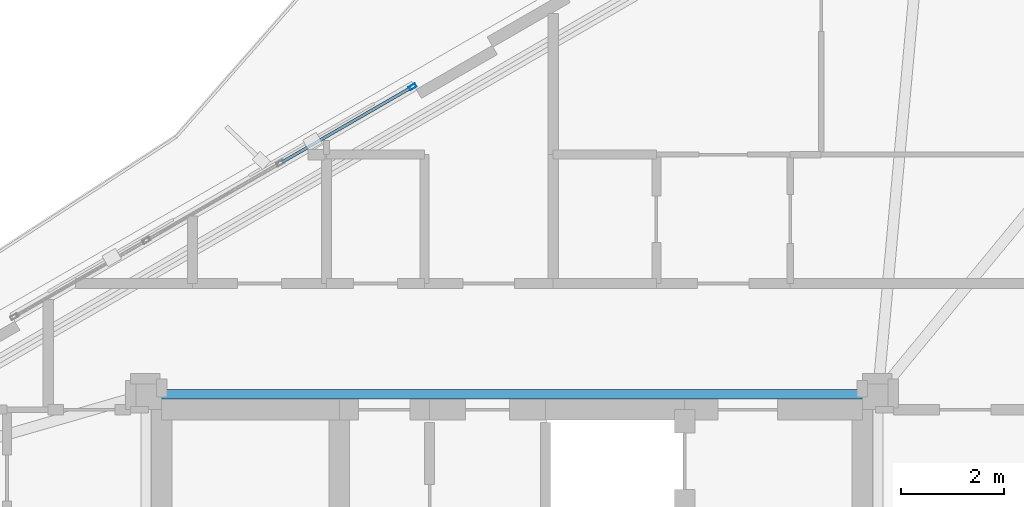
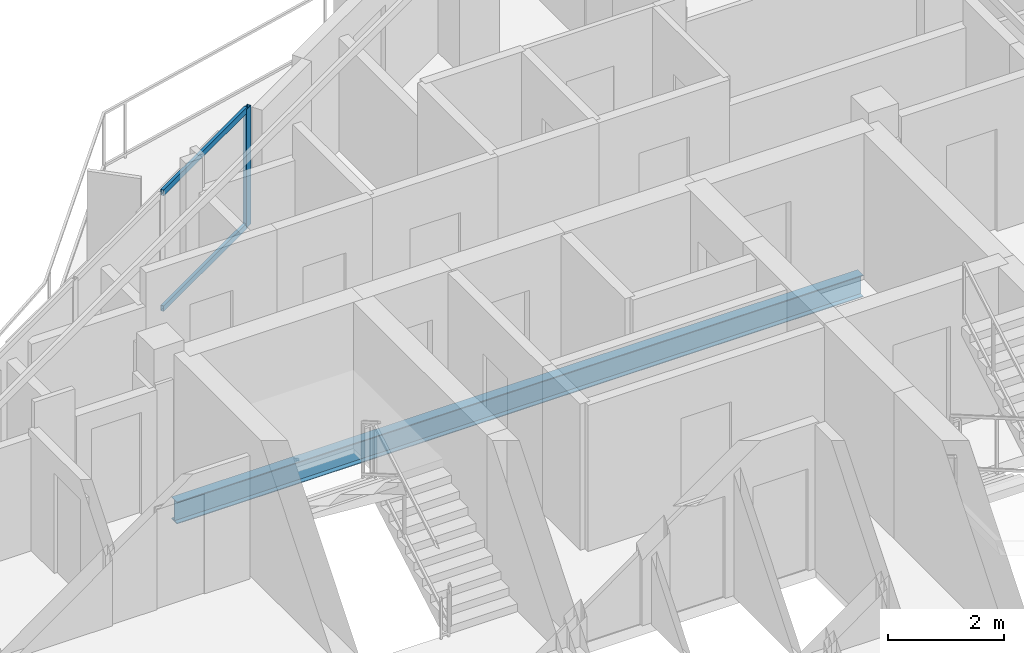
# One storey, part 14 of 22: 3 members, 1 beam, 1 element without a shape of its own.
"""IFC4 building model written with IfcOpenShell, lengths in metres."""

from ifc_helpers import new_model, si_unit, direction, frame, origin, origin_2d, place, context, subcontext, project, spatial, hollow_rectangle, i_section, extrude, material, layer, layer_set, material_profile, profile_set, type_object, element, aggregate, save


model = new_model("IFC4")

# Units and contexts
model_context = context("Model", 3, precision=1e-05, world=origin(), true_north=direction((0.0, 1.0)))
body_context = subcontext(model_context, "Body", "Model", "MODEL_VIEW")
ifc_project = project(units=[si_unit("LENGTHUNIT", "METRE"), si_unit("AREAUNIT", "SQUARE_METRE"), si_unit("VOLUMEUNIT", "CUBIC_METRE"), si_unit("PLANEANGLEUNIT", "RADIAN"), si_unit("MASSUNIT", "GRAM", prefix="KILO")], contexts=[model_context])

# Site, building, storey
site_placement = place(None, origin())
site = spatial("IfcSite", under=ifc_project, at=site_placement, CompositionType="ELEMENT")
building_placement = place(site_placement, origin())
building = spatial("IfcBuilding", under=site, at=building_placement, Name="Mersakhor Tower and Convention Hall", CompositionType="ELEMENT")
storey_placement = place(building_placement, frame((0.0, 0.0, 201.89990234375)))
storey = spatial("IfcBuildingStorey", under=building, at=storey_placement, Name="L56", CompositionType="ELEMENT", Elevation=201.89990234375)

# Beam
ifc_material_1 = material(Name="Steel S355", Category="steel")
ifc_material_profile_1 = material_profile(ifc_material_1, i_section(OverallWidth=0.19140625, OverallDepth=0.4599609375, WebThickness=0.010009765625, FlangeThickness=0.01611328125, at=origin_2d()), Name="UB 457x191x82")
ifc_profile_set_1 = profile_set([ifc_material_profile_1], Name="Steel S355")
beam_type = type_object("IfcBeamType", Name="BM-FB-457", PredefinedType="BEAM", material=ifc_profile_set_1)
beam_placement = place(storey_placement, frame((22.179931640625, 33.050048828125, -0.4599609375), z_axis=(1.0, 0.0, 0.0), x_axis=(0.0, 1.0, 0.0)))
element("IfcBeam", 1, at=beam_placement, inside=storey, type_object=beam_type, Name="L56 Core Ring Tie Beam CRB-2", PredefinedType="BEAM", context=body_context, shape_type="SweptSolid", body=[
    extrude(i_section(OverallWidth=0.19140625, OverallDepth=0.4599609375, WebThickness=0.010009765625, FlangeThickness=0.01611328125, at=origin_2d()), origin(), (0.0, 0.0, 1.0), 13.64013671875),
])

# Curtain wall, members
ifc_material_2 = material(Name="Dark solar low-E aluminium curtain wall", Category="aluminium")
ifc_layer = layer(ifc_material_2, 0.169921875)
ifc_layer_set = layer_set([ifc_layer], Name="Dark solar low-E aluminium curtain wall")
curtain_wall_type = type_object("IfcCurtainWallType", Name="CW-SYS-02", PredefinedType="USERDEFINED", material=ifc_layer_set)
curtain_wall_placement = place(storey_placement, origin())
curtain_wall = element("IfcCurtainWall", 2, at=curtain_wall_placement, inside=storey, type_object=curtain_wall_type, Name="L56 Dark-Glass Curtain Wall F1-B2", ObjectType="CURTAIN WALL", PredefinedType="USERDEFINED")
ifc_material_3 = material(Name="Anodised aluminium EN AW-6063 T6", Category="aluminium")
ifc_material_profile_2 = material_profile(ifc_material_3, hollow_rectangle(XDim=0.074951171875, YDim=0.14990234375, WallThickness=0.00634765625, at=origin_2d()), Name="RHS 150x75x6.3")
ifc_profile_set_2 = profile_set([ifc_material_profile_2], Name="Anodised aluminium EN AW-6063 T6")
member_type_1 = type_object("IfcMemberType", Name="CWM-150x75", PredefinedType="MULLION", material=ifc_profile_set_2)
member_1_placement = place(storey_placement, frame((27.06982421875, 39.016845703125, 0.2001953125), z_axis=(0.0, 0.0, 1.0), x_axis=(-0.500007824483, 0.86602088627, 0.0)))
member_1 = element("IfcMember", 3, at=member_1_placement, type_object=member_type_1, Name="CW-02 mullion 4", PredefinedType="MULLION", context=body_context, shape_type="SweptSolid", body=[
    extrude(hollow_rectangle(XDim=0.074951171875, YDim=0.14990234375, WallThickness=0.00634765625, at=origin_2d()), origin(), (0.0, 0.0, 1.0), 2.489990234375),
])
ifc_material_4 = material(Name="Anodised aluminium EN AW-6063 T6", Category="aluminium")
ifc_material_profile_3 = material_profile(ifc_material_4, hollow_rectangle(XDim=0.06005859375, YDim=0.1201171875, WallThickness=0.0048828125, at=origin_2d()), Name="RHS 120x60x5")
ifc_profile_set_3 = profile_set([ifc_material_profile_3], Name="Anodised aluminium EN AW-6063 T6")
member_type_2 = type_object("IfcMemberType", Name="CWT-120x60", PredefinedType="USERDEFINED", material=ifc_profile_set_3)
member_2_placement = place(storey_placement, frame((24.537109375, 37.554443359375, 0.22998046875), z_axis=(0.86601237176, 0.50002257145, 0.0), x_axis=(-0.50002257145, 0.86601237176, 0.0)))
member_2 = element("IfcMember", 4, at=member_2_placement, type_object=member_type_2, Name="CW-02 transom 3.1", ObjectType="TRANSOM", PredefinedType="USERDEFINED", context=body_context, shape_type="SweptSolid", body=[
    extrude(hollow_rectangle(XDim=0.06005859375, YDim=0.1201171875, WallThickness=0.0048828125, at=origin_2d()), origin(), (0.0, 0.0, 1.0), 2.886962890625),
])
member_3_placement = place(storey_placement, frame((24.537109375, 37.554443359375, 2.66015625), z_axis=(0.86601237176, 0.50002257145, 0.0), x_axis=(-0.50002257145, 0.86601237176, 0.0)))
member_3 = element("IfcMember", 5, at=member_3_placement, type_object=member_type_2, Name="CW-02 transom 3.2", ObjectType="TRANSOM", PredefinedType="USERDEFINED", context=body_context, shape_type="SweptSolid", body=[
    extrude(hollow_rectangle(XDim=0.06005859375, YDim=0.1201171875, WallThickness=0.0048828125, at=origin_2d()), origin(), (0.0, 0.0, 1.0), 2.886962890625),
])
aggregate(curtain_wall, [member_1, member_2, member_3])

save(model, "model.ifc")
